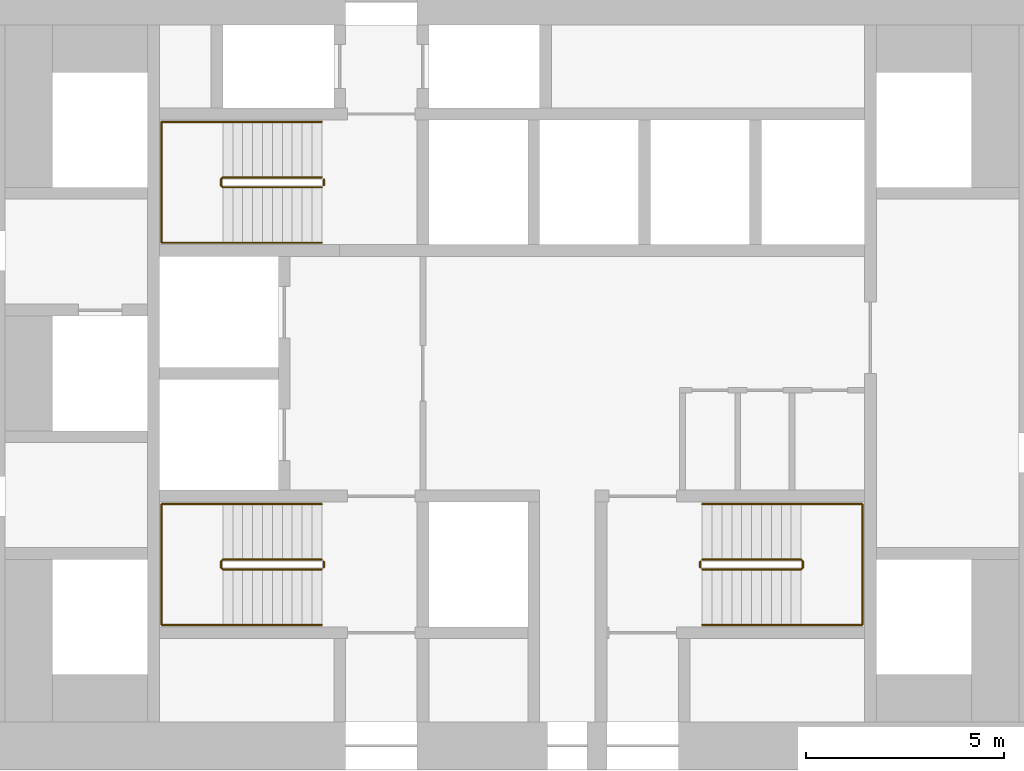
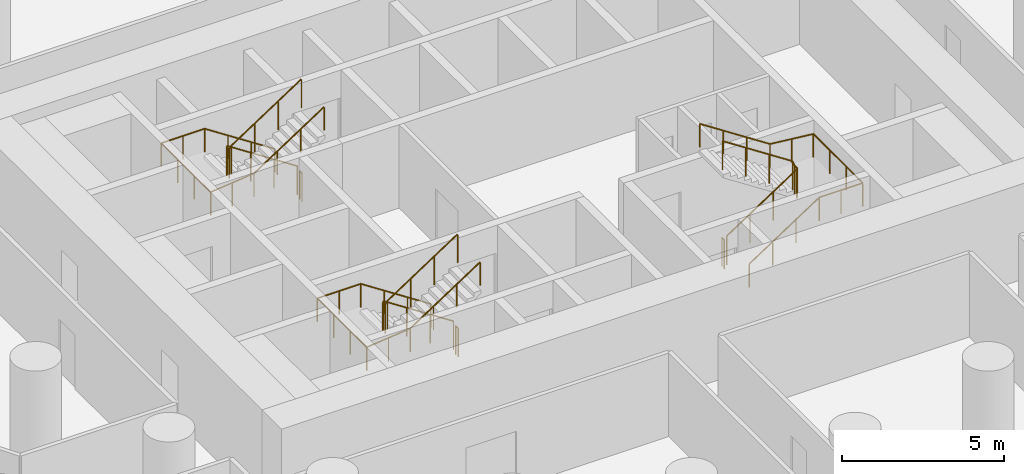
# One storey, part 11 of 11: 9 railings.
"""IFC4 building model written with IfcOpenShell, lengths in metres."""

from ifc_helpers import new_model, si_unit, direction, frame, origin, origin_2d, place, context, subcontext, project, spatial, circle, extrude, material, type_object, element, save


model = new_model("IFC4")

# Units and contexts
model_context = context("Model", 3, precision=1e-05, world=origin(), true_north=direction((0.0, 1.0)))
body_context = subcontext(model_context, "Body", "Model", "MODEL_VIEW")
ifc_project = project(units=[si_unit("LENGTHUNIT", "METRE"), si_unit("AREAUNIT", "SQUARE_METRE"), si_unit("VOLUMEUNIT", "CUBIC_METRE"), si_unit("PLANEANGLEUNIT", "RADIAN"), si_unit("MASSUNIT", "GRAM", prefix="KILO")], contexts=[model_context])

# Site, building, storey
site_placement = place(None, origin())
site = spatial("IfcSite", under=ifc_project, at=site_placement, CompositionType="ELEMENT")
building_placement = place(site_placement, origin())
building = spatial("IfcBuilding", under=site, at=building_placement, Name="Tracery Tower", CompositionType="ELEMENT")
storey_placement = place(building_placement, frame((0.0, 0.0, 60.60009765625)))
storey = spatial("IfcBuildingStorey", under=building, at=storey_placement, Name="L14", CompositionType="ELEMENT", Elevation=60.60009765625)

# Railings
ifc_material_1 = material(Name="Stainless steel and laminated glass", Category="steel")
railing_type_1 = type_object("IfcRailingType", Name="Stair guard 1100", PredefinedType="GUARDRAIL", material=ifc_material_1)
railing_1_placement = place(storey_placement, frame((-4.800048828125, -4.699951171875, 0.16357421875)))
element("IfcRailing", 1, at=railing_1_placement, inside=storey, type_object=railing_type_1, Name="L14 stair ST1 guard 1", PredefinedType="GUARDRAIL", context=body_context, shape_type="SweptSolid", body=[
    extrude(circle(Radius=0.02392578125, at=origin_2d()), frame((0.0, 0.0, 1.076171875), z_axis=(-0.836721939367, 0.0, 0.547627972425), x_axis=(0.0, -1.0, 0.0)), (0.0, 0.0, 1.0), 2.98779296875),
    extrude(circle(Radius=0.02392578125, at=origin_2d()), frame((-2.5, 0.0, 2.71240234375), z_axis=(-0.707106781187, -0.707106781187, 0.0), x_axis=(0.707106781187, -0.707106781187, 0.0)), (0.0, 0.0, 1.0), 0.07080078125),
    extrude(circle(Radius=0.02392578125, at=origin_2d()), frame((-2.550048828125, -0.050048828125, 2.71240234375), z_axis=(0.0, -1.0, 0.0), x_axis=(1.0, 0.0, 0.0)), (0.0, 0.0, 1.0), 0.14990234375),
    extrude(circle(Radius=0.02392578125, at=origin_2d()), frame((-2.550048828125, -0.199951171875, 2.71240234375), z_axis=(0.280456126637, -0.280456126637, 0.917980785237), x_axis=(0.707106781187, 0.707106781187, 0.0)), (0.0, 0.0, 1.0), 0.178466796875),
    extrude(circle(Radius=0.02392578125, at=origin_2d()), frame((-2.5, -0.25, 2.8759765625), z_axis=(0.836721939367, 0.0, 0.547627972425), x_axis=(0.0, 1.0, 0.0)), (0.0, 0.0, 1.0), 2.98779296875),
    extrude(circle(Radius=0.02099609375, at=origin_2d()), origin(), (0.0, 0.0, 1.0), 1.052001953125),
    extrude(circle(Radius=0.02099609375, at=origin_2d()), frame((-0.833251953125, 0.0, 0.54541015625)), (0.0, 0.0, 1.0), 1.052001953125),
    extrude(circle(Radius=0.02099609375, at=origin_2d()), frame((-1.666748046875, 0.0, 1.0908203125)), (0.0, 0.0, 1.0), 1.052001953125),
    extrude(circle(Radius=0.02099609375, at=origin_2d()), frame((-2.5, 0.0, 1.63623046875)), (0.0, 0.0, 1.0), 1.052001953125),
    extrude(circle(Radius=0.02099609375, at=origin_2d()), frame((-2.550048828125, -0.050048828125, 1.63623046875)), (0.0, 0.0, 1.0), 1.052001953125),
    extrude(circle(Radius=0.02099609375, at=origin_2d()), frame((-2.550048828125, -0.199951171875, 1.63623046875)), (0.0, 0.0, 1.0), 1.052001953125),
    extrude(circle(Radius=0.02099609375, at=origin_2d()), frame((-2.5, -0.25, 1.800048828125)), (0.0, 0.0, 1.0), 1.052001953125),
    extrude(circle(Radius=0.02099609375, at=origin_2d()), frame((-1.666748046875, -0.25, 2.345458984375)), (0.0, 0.0, 1.0), 1.052001953125),
    extrude(circle(Radius=0.02099609375, at=origin_2d()), frame((-0.833251953125, -0.25, 2.890869140625)), (0.0, 0.0, 1.0), 1.052001953125),
    extrude(circle(Radius=0.02099609375, at=origin_2d()), frame((0.0, -0.25, 3.436279296875)), (0.0, 0.0, 1.0), 1.052001953125),
])
railing_2_placement = place(storey_placement, frame((-4.75, -4.75, 0.0)))
element("IfcRailing", 2, at=railing_2_placement, inside=storey, type_object=railing_type_1, Name="L14 stair ST1 guard 2", PredefinedType="GUARDRAIL", context=body_context, shape_type="SweptSolid", body=[
    extrude(circle(Radius=0.02392578125, at=origin_2d()), frame((0.0, 0.0, 1.076171875), z_axis=(0.0, -1.0, 0.0), x_axis=(1.0, 0.0, 0.0)), (0.0, 0.0, 1.0), 0.14990234375),
    extrude(circle(Radius=0.02099609375, at=origin_2d()), origin(), (0.0, 0.0, 1.0), 1.052001953125),
    extrude(circle(Radius=0.02099609375, at=origin_2d()), frame((0.0, -0.14990234375, 0.0)), (0.0, 0.0, 1.0), 1.052001953125),
])
railing_3_placement = place(storey_placement, frame((-4.800048828125, 4.949951171875, 0.16357421875)))
element("IfcRailing", 3, at=railing_3_placement, inside=storey, type_object=railing_type_1, Name="L14 stair ST3 guard 1", PredefinedType="GUARDRAIL", context=body_context, shape_type="SweptSolid", body=[
    extrude(circle(Radius=0.02392578125, at=origin_2d()), frame((0.0, 0.0, 1.076171875), z_axis=(-0.836721939367, 0.0, 0.547627972425), x_axis=(0.0, -1.0, 0.0)), (0.0, 0.0, 1.0), 2.98779296875),
    extrude(circle(Radius=0.02392578125, at=origin_2d()), frame((-2.5, 0.0, 2.71240234375), z_axis=(-0.707106781187, -0.707106781187, 0.0), x_axis=(0.707106781187, -0.707106781187, 0.0)), (0.0, 0.0, 1.0), 0.07080078125),
    extrude(circle(Radius=0.02392578125, at=origin_2d()), frame((-2.550048828125, -0.050048828125, 2.71240234375), z_axis=(0.0, -1.0, 0.0), x_axis=(1.0, 0.0, 0.0)), (0.0, 0.0, 1.0), 0.14990234375),
    extrude(circle(Radius=0.02392578125, at=origin_2d()), frame((-2.550048828125, -0.199951171875, 2.71240234375), z_axis=(0.280456126637, -0.280456126637, 0.917980785237), x_axis=(0.707106781187, 0.707106781187, 0.0)), (0.0, 0.0, 1.0), 0.178466796875),
    extrude(circle(Radius=0.02392578125, at=origin_2d()), frame((-2.5, -0.25, 2.8759765625), z_axis=(0.836721939367, 0.0, 0.547627972425), x_axis=(0.0, 1.0, 0.0)), (0.0, 0.0, 1.0), 2.98779296875),
    extrude(circle(Radius=0.02099609375, at=origin_2d()), origin(), (0.0, 0.0, 1.0), 1.052001953125),
    extrude(circle(Radius=0.02099609375, at=origin_2d()), frame((-0.833251953125, 0.0, 0.54541015625)), (0.0, 0.0, 1.0), 1.052001953125),
    extrude(circle(Radius=0.02099609375, at=origin_2d()), frame((-1.666748046875, 0.0, 1.0908203125)), (0.0, 0.0, 1.0), 1.052001953125),
    extrude(circle(Radius=0.02099609375, at=origin_2d()), frame((-2.5, 0.0, 1.63623046875)), (0.0, 0.0, 1.0), 1.052001953125),
    extrude(circle(Radius=0.02099609375, at=origin_2d()), frame((-2.550048828125, -0.050048828125, 1.63623046875)), (0.0, 0.0, 1.0), 1.052001953125),
    extrude(circle(Radius=0.02099609375, at=origin_2d()), frame((-2.550048828125, -0.199951171875, 1.63623046875)), (0.0, 0.0, 1.0), 1.052001953125),
    extrude(circle(Radius=0.02099609375, at=origin_2d()), frame((-2.5, -0.25, 1.800048828125)), (0.0, 0.0, 1.0), 1.052001953125),
    extrude(circle(Radius=0.02099609375, at=origin_2d()), frame((-1.666748046875, -0.25, 2.345458984375)), (0.0, 0.0, 1.0), 1.052001953125),
    extrude(circle(Radius=0.02099609375, at=origin_2d()), frame((-0.833251953125, -0.25, 2.890869140625)), (0.0, 0.0, 1.0), 1.052001953125),
    extrude(circle(Radius=0.02099609375, at=origin_2d()), frame((0.0, -0.25, 3.436279296875)), (0.0, 0.0, 1.0), 1.052001953125),
])
railing_4_placement = place(storey_placement, frame((-4.75, 4.89990234375, 0.0)))
element("IfcRailing", 4, at=railing_4_placement, inside=storey, type_object=railing_type_1, Name="L14 stair ST3 guard 2", PredefinedType="GUARDRAIL", context=body_context, shape_type="SweptSolid", body=[
    extrude(circle(Radius=0.02392578125, at=origin_2d()), frame((0.0, 0.0, 1.076171875), z_axis=(0.0, -1.0, 0.0), x_axis=(1.0, 0.0, 0.0)), (0.0, 0.0, 1.0), 0.14990234375),
    extrude(circle(Radius=0.02099609375, at=origin_2d()), origin(), (0.0, 0.0, 1.0), 1.052001953125),
    extrude(circle(Radius=0.02099609375, at=origin_2d()), frame((0.0, -0.14990234375, 0.0)), (0.0, 0.0, 1.0), 1.052001953125),
])
railing_5_placement = place(storey_placement, frame((4.800048828125, -4.949951171875, 0.16357421875)))
element("IfcRailing", 5, at=railing_5_placement, inside=storey, type_object=railing_type_1, Name="L14 stair ST2 guard 1", PredefinedType="GUARDRAIL", context=body_context, shape_type="SweptSolid", body=[
    extrude(circle(Radius=0.02392578125, at=origin_2d()), frame((0.0, 0.0, 1.076171875), z_axis=(0.836721939367, 0.0, 0.547627972425), x_axis=(0.0, 1.0, 0.0)), (0.0, 0.0, 1.0), 2.98779296875),
    extrude(circle(Radius=0.02392578125, at=origin_2d()), frame((2.5, 0.0, 2.71240234375), z_axis=(0.707106781187, 0.707106781187, 0.0), x_axis=(-0.707106781187, 0.707106781187, 0.0)), (0.0, 0.0, 1.0), 0.07080078125),
    extrude(circle(Radius=0.02392578125, at=origin_2d()), frame((2.550048828125, 0.050048828125, 2.71240234375), z_axis=(0.0, 1.0, 0.0), x_axis=(-1.0, 0.0, 0.0)), (0.0, 0.0, 1.0), 0.14990234375),
    extrude(circle(Radius=0.02392578125, at=origin_2d()), frame((2.550048828125, 0.199951171875, 2.71240234375), z_axis=(-0.280456126637, 0.280456126637, 0.917980785237), x_axis=(-0.707106781187, -0.707106781187, 0.0)), (0.0, 0.0, 1.0), 0.178466796875),
    extrude(circle(Radius=0.02392578125, at=origin_2d()), frame((2.5, 0.25, 2.8759765625), z_axis=(-0.836721939367, 0.0, 0.547627972425), x_axis=(0.0, -1.0, 0.0)), (0.0, 0.0, 1.0), 2.98779296875),
    extrude(circle(Radius=0.02099609375, at=origin_2d()), origin(), (0.0, 0.0, 1.0), 1.052001953125),
    extrude(circle(Radius=0.02099609375, at=origin_2d()), frame((0.833251953125, 0.0, 0.54541015625)), (0.0, 0.0, 1.0), 1.052001953125),
    extrude(circle(Radius=0.02099609375, at=origin_2d()), frame((1.666748046875, 0.0, 1.0908203125)), (0.0, 0.0, 1.0), 1.052001953125),
    extrude(circle(Radius=0.02099609375, at=origin_2d()), frame((2.5, 0.0, 1.63623046875)), (0.0, 0.0, 1.0), 1.052001953125),
    extrude(circle(Radius=0.02099609375, at=origin_2d()), frame((2.550048828125, 0.050048828125, 1.63623046875)), (0.0, 0.0, 1.0), 1.052001953125),
    extrude(circle(Radius=0.02099609375, at=origin_2d()), frame((2.550048828125, 0.199951171875, 1.63623046875)), (0.0, 0.0, 1.0), 1.052001953125),
    extrude(circle(Radius=0.02099609375, at=origin_2d()), frame((2.5, 0.25, 1.800048828125)), (0.0, 0.0, 1.0), 1.052001953125),
    extrude(circle(Radius=0.02099609375, at=origin_2d()), frame((1.666748046875, 0.25, 2.345458984375)), (0.0, 0.0, 1.0), 1.052001953125),
    extrude(circle(Radius=0.02099609375, at=origin_2d()), frame((0.833251953125, 0.25, 2.890869140625)), (0.0, 0.0, 1.0), 1.052001953125),
    extrude(circle(Radius=0.02099609375, at=origin_2d()), frame((0.0, 0.25, 3.436279296875)), (0.0, 0.0, 1.0), 1.052001953125),
])
railing_6_placement = place(storey_placement, frame((4.75, -4.89990234375, 0.0)))
element("IfcRailing", 6, at=railing_6_placement, inside=storey, type_object=railing_type_1, Name="L14 stair ST2 guard 2", PredefinedType="GUARDRAIL", context=body_context, shape_type="SweptSolid", body=[
    extrude(circle(Radius=0.02392578125, at=origin_2d()), frame((0.0, 0.0, 1.076171875), z_axis=(0.0, 1.0, 0.0), x_axis=(-1.0, 0.0, 0.0)), (0.0, 0.0, 1.0), 0.14990234375),
    extrude(circle(Radius=0.02099609375, at=origin_2d()), origin(), (0.0, 0.0, 1.0), 1.052001953125),
    extrude(circle(Radius=0.02099609375, at=origin_2d()), frame((0.0, 0.14990234375, 0.0)), (0.0, 0.0, 1.0), 1.052001953125),
])
ifc_material_2 = material(Name="Stainless steel and laminated glass", Category="steel")
railing_type_2 = type_object("IfcRailingType", Name="Stair handrail 900", PredefinedType="HANDRAIL", material=ifc_material_2)
railing_7_placement = place(storey_placement, frame((-4.800048828125, -3.300048828125, 0.16357421875)))
element("IfcRailing", 7, at=railing_7_placement, inside=storey, type_object=railing_type_2, Name="L14 stair ST1 handrail 1", PredefinedType="HANDRAIL", context=body_context, shape_type="SweptSolid", body=[
    extrude(circle(Radius=0.02392578125, at=origin_2d()), frame((0.0, 0.0, 0.8759765625), z_axis=(-0.836721939367, 0.0, 0.547627972425), x_axis=(0.0, -1.0, 0.0)), (0.0, 0.0, 1.0), 2.98779296875),
    extrude(circle(Radius=0.02392578125, at=origin_2d()), frame((-2.5, 0.0, 2.51220703125), z_axis=(-1.0, 0.0, 0.0), x_axis=(0.0, -1.0, 0.0)), (0.0, 0.0, 1.0), 1.550048828125),
    extrude(circle(Radius=0.02392578125, at=origin_2d()), frame((-4.050048828125, 0.0, 2.51220703125), z_axis=(0.0, -1.0, 0.0), x_axis=(1.0, 0.0, 0.0)), (0.0, 0.0, 1.0), 3.050048828125),
    extrude(circle(Radius=0.02392578125, at=origin_2d()), frame((-4.050048828125, -3.050048828125, 2.51220703125), z_axis=(0.994461594632, 0.0, 0.105100603244), x_axis=(0.0, 1.0, 0.0)), (0.0, 0.0, 1.0), 1.55859375),
    extrude(circle(Radius=0.02392578125, at=origin_2d()), frame((-2.5, -3.050048828125, 2.67578125), z_axis=(0.836721939367, 0.0, 0.547627972425), x_axis=(0.0, 1.0, 0.0)), (0.0, 0.0, 1.0), 2.98779296875),
    extrude(circle(Radius=0.02099609375, at=origin_2d()), origin(), (0.0, 0.0, 1.0), 0.851806640625),
    extrude(circle(Radius=0.02099609375, at=origin_2d()), frame((-0.833251953125, 0.0, 0.54541015625)), (0.0, 0.0, 1.0), 0.851806640625),
    extrude(circle(Radius=0.02099609375, at=origin_2d()), frame((-1.666748046875, 0.0, 1.0908203125)), (0.0, 0.0, 1.0), 0.851806640625),
    extrude(circle(Radius=0.02099609375, at=origin_2d()), frame((-2.5, 0.0, 1.63623046875)), (0.0, 0.0, 1.0), 0.851806640625),
    extrude(circle(Radius=0.02099609375, at=origin_2d()), frame((-3.27490234375, 0.0, 1.63623046875)), (0.0, 0.0, 1.0), 0.851806640625),
    extrude(circle(Radius=0.02099609375, at=origin_2d()), frame((-4.050048828125, 0.0, 1.63623046875)), (0.0, 0.0, 1.0), 0.851806640625),
    extrude(circle(Radius=0.02099609375, at=origin_2d()), frame((-4.050048828125, -1.0166015625, 1.63623046875)), (0.0, 0.0, 1.0), 0.851806640625),
    extrude(circle(Radius=0.02099609375, at=origin_2d()), frame((-4.050048828125, -2.033447265625, 1.63623046875)), (0.0, 0.0, 1.0), 0.851806640625),
    extrude(circle(Radius=0.02099609375, at=origin_2d()), frame((-4.050048828125, -3.050048828125, 1.63623046875)), (0.0, 0.0, 1.0), 0.851806640625),
    extrude(circle(Radius=0.02099609375, at=origin_2d()), frame((-3.27490234375, -3.050048828125, 1.71826171875)), (0.0, 0.0, 1.0), 0.851806640625),
    extrude(circle(Radius=0.02099609375, at=origin_2d()), frame((-2.5, -3.050048828125, 1.800048828125)), (0.0, 0.0, 1.0), 0.851806640625),
    extrude(circle(Radius=0.02099609375, at=origin_2d()), frame((-1.666748046875, -3.050048828125, 2.345458984375)), (0.0, 0.0, 1.0), 0.851806640625),
    extrude(circle(Radius=0.02099609375, at=origin_2d()), frame((-0.833251953125, -3.050048828125, 2.890869140625)), (0.0, 0.0, 1.0), 0.851806640625),
    extrude(circle(Radius=0.02099609375, at=origin_2d()), frame((0.0, -3.050048828125, 3.436279296875)), (0.0, 0.0, 1.0), 0.851806640625),
])
railing_8_placement = place(storey_placement, frame((-4.800048828125, 6.35009765625, 0.16357421875)))
element("IfcRailing", 8, at=railing_8_placement, inside=storey, type_object=railing_type_2, Name="L14 stair ST3 handrail 1", PredefinedType="HANDRAIL", context=body_context, shape_type="SweptSolid", body=[
    extrude(circle(Radius=0.02392578125, at=origin_2d()), frame((0.0, 0.0, 0.8759765625), z_axis=(-0.836721939367, 0.0, 0.547627972425), x_axis=(0.0, -1.0, 0.0)), (0.0, 0.0, 1.0), 2.98779296875),
    extrude(circle(Radius=0.02392578125, at=origin_2d()), frame((-2.5, 0.0, 2.51220703125), z_axis=(-1.0, 0.0, 0.0), x_axis=(0.0, -1.0, 0.0)), (0.0, 0.0, 1.0), 1.550048828125),
    extrude(circle(Radius=0.02392578125, at=origin_2d()), frame((-4.050048828125, 0.0, 2.51220703125), z_axis=(0.0, -1.0, 0.0), x_axis=(1.0, 0.0, 0.0)), (0.0, 0.0, 1.0), 3.050048828125),
    extrude(circle(Radius=0.02392578125, at=origin_2d()), frame((-4.050048828125, -3.050048828125, 2.51220703125), z_axis=(0.994461594632, 0.0, 0.105100603244), x_axis=(0.0, 1.0, 0.0)), (0.0, 0.0, 1.0), 1.55859375),
    extrude(circle(Radius=0.02392578125, at=origin_2d()), frame((-2.5, -3.050048828125, 2.67578125), z_axis=(0.836721939367, 0.0, 0.547627972425), x_axis=(0.0, 1.0, 0.0)), (0.0, 0.0, 1.0), 2.98779296875),
    extrude(circle(Radius=0.02099609375, at=origin_2d()), origin(), (0.0, 0.0, 1.0), 0.851806640625),
    extrude(circle(Radius=0.02099609375, at=origin_2d()), frame((-0.833251953125, 0.0, 0.54541015625)), (0.0, 0.0, 1.0), 0.851806640625),
    extrude(circle(Radius=0.02099609375, at=origin_2d()), frame((-1.666748046875, 0.0, 1.0908203125)), (0.0, 0.0, 1.0), 0.851806640625),
    extrude(circle(Radius=0.02099609375, at=origin_2d()), frame((-2.5, 0.0, 1.63623046875)), (0.0, 0.0, 1.0), 0.851806640625),
    extrude(circle(Radius=0.02099609375, at=origin_2d()), frame((-3.27490234375, 0.0, 1.63623046875)), (0.0, 0.0, 1.0), 0.851806640625),
    extrude(circle(Radius=0.02099609375, at=origin_2d()), frame((-4.050048828125, 0.0, 1.63623046875)), (0.0, 0.0, 1.0), 0.851806640625),
    extrude(circle(Radius=0.02099609375, at=origin_2d()), frame((-4.050048828125, -1.0166015625, 1.63623046875)), (0.0, 0.0, 1.0), 0.851806640625),
    extrude(circle(Radius=0.02099609375, at=origin_2d()), frame((-4.050048828125, -2.033447265625, 1.63623046875)), (0.0, 0.0, 1.0), 0.851806640625),
    extrude(circle(Radius=0.02099609375, at=origin_2d()), frame((-4.050048828125, -3.050048828125, 1.63623046875)), (0.0, 0.0, 1.0), 0.851806640625),
    extrude(circle(Radius=0.02099609375, at=origin_2d()), frame((-3.27490234375, -3.050048828125, 1.71826171875)), (0.0, 0.0, 1.0), 0.851806640625),
    extrude(circle(Radius=0.02099609375, at=origin_2d()), frame((-2.5, -3.050048828125, 1.800048828125)), (0.0, 0.0, 1.0), 0.851806640625),
    extrude(circle(Radius=0.02099609375, at=origin_2d()), frame((-1.666748046875, -3.050048828125, 2.345458984375)), (0.0, 0.0, 1.0), 0.851806640625),
    extrude(circle(Radius=0.02099609375, at=origin_2d()), frame((-0.833251953125, -3.050048828125, 2.890869140625)), (0.0, 0.0, 1.0), 0.851806640625),
    extrude(circle(Radius=0.02099609375, at=origin_2d()), frame((0.0, -3.050048828125, 3.436279296875)), (0.0, 0.0, 1.0), 0.851806640625),
])
railing_9_placement = place(storey_placement, frame((4.800048828125, -6.35009765625, 0.16357421875)))
element("IfcRailing", 9, at=railing_9_placement, inside=storey, type_object=railing_type_2, Name="L14 stair ST2 handrail 1", PredefinedType="HANDRAIL", context=body_context, shape_type="SweptSolid", body=[
    extrude(circle(Radius=0.02392578125, at=origin_2d()), frame((0.0, 0.0, 0.8759765625), z_axis=(0.836721939367, 0.0, 0.547627972425), x_axis=(0.0, 1.0, 0.0)), (0.0, 0.0, 1.0), 2.98779296875),
    extrude(circle(Radius=0.02392578125, at=origin_2d()), frame((2.5, 0.0, 2.51220703125), z_axis=(1.0, 0.0, 0.0), x_axis=(0.0, 1.0, 0.0)), (0.0, 0.0, 1.0), 1.550048828125),
    extrude(circle(Radius=0.02392578125, at=origin_2d()), frame((4.050048828125, 0.0, 2.51220703125), z_axis=(0.0, 1.0, 0.0), x_axis=(-1.0, 0.0, 0.0)), (0.0, 0.0, 1.0), 3.050048828125),
    extrude(circle(Radius=0.02392578125, at=origin_2d()), frame((4.050048828125, 3.050048828125, 2.51220703125), z_axis=(-0.994461594632, 0.0, 0.105100603244), x_axis=(0.0, -1.0, 0.0)), (0.0, 0.0, 1.0), 1.55859375),
    extrude(circle(Radius=0.02392578125, at=origin_2d()), frame((2.5, 3.050048828125, 2.67578125), z_axis=(-0.836721939367, 0.0, 0.547627972425), x_axis=(0.0, -1.0, 0.0)), (0.0, 0.0, 1.0), 2.98779296875),
    extrude(circle(Radius=0.02099609375, at=origin_2d()), origin(), (0.0, 0.0, 1.0), 0.851806640625),
    extrude(circle(Radius=0.02099609375, at=origin_2d()), frame((0.833251953125, 0.0, 0.54541015625)), (0.0, 0.0, 1.0), 0.851806640625),
    extrude(circle(Radius=0.02099609375, at=origin_2d()), frame((1.666748046875, 0.0, 1.0908203125)), (0.0, 0.0, 1.0), 0.851806640625),
    extrude(circle(Radius=0.02099609375, at=origin_2d()), frame((2.5, 0.0, 1.63623046875)), (0.0, 0.0, 1.0), 0.851806640625),
    extrude(circle(Radius=0.02099609375, at=origin_2d()), frame((3.27490234375, 0.0, 1.63623046875)), (0.0, 0.0, 1.0), 0.851806640625),
    extrude(circle(Radius=0.02099609375, at=origin_2d()), frame((4.050048828125, 0.0, 1.63623046875)), (0.0, 0.0, 1.0), 0.851806640625),
    extrude(circle(Radius=0.02099609375, at=origin_2d()), frame((4.050048828125, 1.0166015625, 1.63623046875)), (0.0, 0.0, 1.0), 0.851806640625),
    extrude(circle(Radius=0.02099609375, at=origin_2d()), frame((4.050048828125, 2.033447265625, 1.63623046875)), (0.0, 0.0, 1.0), 0.851806640625),
    extrude(circle(Radius=0.02099609375, at=origin_2d()), frame((4.050048828125, 3.050048828125, 1.63623046875)), (0.0, 0.0, 1.0), 0.851806640625),
    extrude(circle(Radius=0.02099609375, at=origin_2d()), frame((3.27490234375, 3.050048828125, 1.71826171875)), (0.0, 0.0, 1.0), 0.851806640625),
    extrude(circle(Radius=0.02099609375, at=origin_2d()), frame((2.5, 3.050048828125, 1.800048828125)), (0.0, 0.0, 1.0), 0.851806640625),
    extrude(circle(Radius=0.02099609375, at=origin_2d()), frame((1.666748046875, 3.050048828125, 2.345458984375)), (0.0, 0.0, 1.0), 0.851806640625),
    extrude(circle(Radius=0.02099609375, at=origin_2d()), frame((0.833251953125, 3.050048828125, 2.890869140625)), (0.0, 0.0, 1.0), 0.851806640625),
    extrude(circle(Radius=0.02099609375, at=origin_2d()), frame((0.0, 3.050048828125, 3.436279296875)), (0.0, 0.0, 1.0), 0.851806640625),
])

save(model, "model.ifc")
